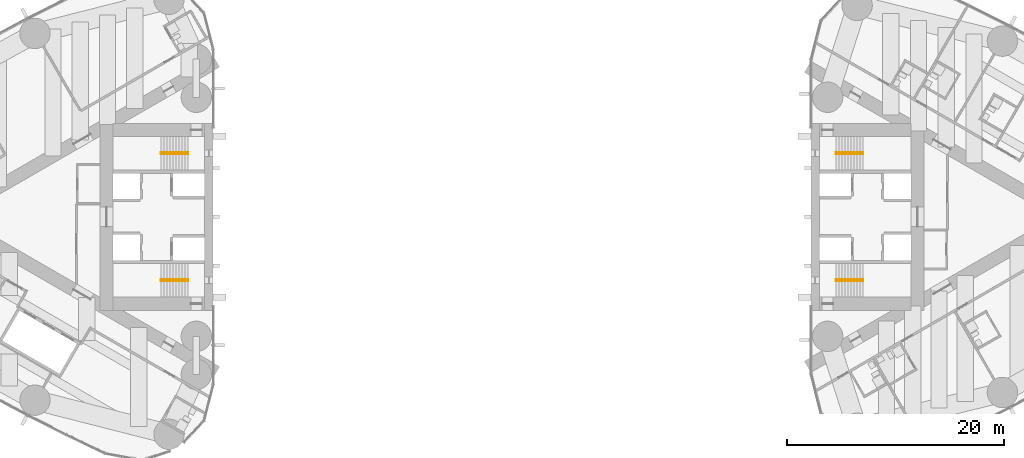
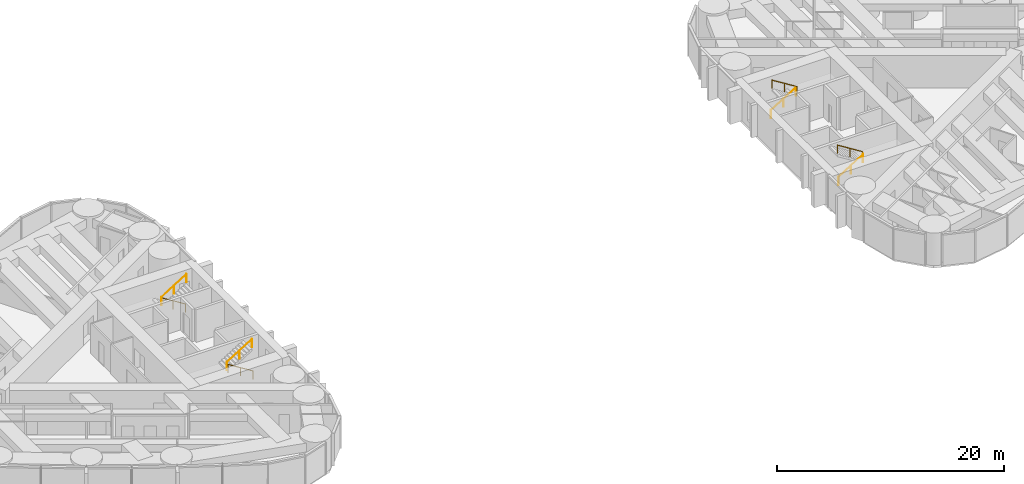
# One storey, part 18 of 19: 8 railings.
"""IFC4 building model written with IfcOpenShell, lengths in metres."""

from ifc_helpers import new_model, si_unit, direction, frame, origin, origin_2d, place, context, subcontext, project, spatial, circle, extrude, material, type_object, element, save


model = new_model("IFC4")

# Units and contexts
model_context = context("Model", 3, precision=1e-05, world=origin(), true_north=direction((0.0, 1.0)))
body_context = subcontext(model_context, "Body", "Model", "MODEL_VIEW")
ifc_project = project(units=[si_unit("LENGTHUNIT", "METRE"), si_unit("AREAUNIT", "SQUARE_METRE"), si_unit("VOLUMEUNIT", "CUBIC_METRE"), si_unit("PLANEANGLEUNIT", "RADIAN"), si_unit("MASSUNIT", "GRAM", prefix="KILO")], contexts=[model_context])

# Site, building, storey
site_placement = place(None, origin())
site = spatial("IfcSite", under=ifc_project, at=site_placement, CompositionType="ELEMENT")
building_placement = place(site_placement, origin())
building = spatial("IfcBuilding", under=site, at=building_placement, Name="Lancet Gate Hotel", CompositionType="ELEMENT")
storey_placement = place(building_placement, frame((0.0, 0.0, 184.300048828125)))
storey = spatial("IfcBuildingStorey", under=building, at=storey_placement, Name="L49", CompositionType="ELEMENT", Elevation=184.300048828125)

# Railings
ifc_material = material(Name="Stainless steel handrail", Category="steel")
railing_type = type_object("IfcRailingType", Name="Stair handrail 900", PredefinedType="HANDRAIL", material=ifc_material)
railing_1_placement = place(storey_placement, frame((-29.800048828125, 5.929931640625, 0.175048828125)))
element("IfcRailing", 1, at=railing_1_placement, inside=storey, type_object=railing_type, Name="ST1 handrail flight 1 L49", PredefinedType="HANDRAIL", context=body_context, shape_type="SweptSolid", body=[
    extrude(circle(Radius=0.02392578125, at=origin_2d()), frame((0.0, 0.0, 0.8759765625), z_axis=(-0.848007534815, 0.0, 0.529984170421), x_axis=(0.0, -1.0, 0.0)), (0.0, 0.0, 1.0), 2.9716796875),
    extrude(circle(Radius=0.02099609375, at=origin_2d()), origin(), (0.0, 0.0, 1.0), 0.851806640625),
    extrude(circle(Radius=0.02099609375, at=origin_2d()), frame((-1.260009765625, 0.0, 0.78759765625)), (0.0, 0.0, 1.0), 0.851806640625),
    extrude(circle(Radius=0.02099609375, at=origin_2d()), frame((-2.52001953125, 0.0, 1.574951171875)), (0.0, 0.0, 1.0), 0.851806640625),
])
railing_2_placement = place(storey_placement, frame((-32.320068359375, 5.77001953125, 1.925048828125)))
element("IfcRailing", 2, at=railing_2_placement, inside=storey, type_object=railing_type, Name="ST1 handrail flight 2 L49", PredefinedType="HANDRAIL", context=body_context, shape_type="SweptSolid", body=[
    extrude(circle(Radius=0.02392578125, at=origin_2d()), frame((0.0, 0.0, 0.8759765625), z_axis=(0.848007534815, 0.0, 0.529984170421), x_axis=(0.0, 1.0, 0.0)), (0.0, 0.0, 1.0), 2.9716796875),
    extrude(circle(Radius=0.02099609375, at=origin_2d()), origin(), (0.0, 0.0, 1.0), 0.851806640625),
    extrude(circle(Radius=0.02099609375, at=origin_2d()), frame((1.260009765625, 0.0, 0.78759765625)), (0.0, 0.0, 1.0), 0.851806640625),
    extrude(circle(Radius=0.02099609375, at=origin_2d()), frame((2.52001953125, 0.0, 1.574951171875)), (0.0, 0.0, 1.0), 0.851806640625),
])
railing_3_placement = place(storey_placement, frame((-29.800048828125, -5.929931640625, 0.175048828125)))
element("IfcRailing", 3, at=railing_3_placement, inside=storey, type_object=railing_type, Name="ST2 handrail flight 1 L49", PredefinedType="HANDRAIL", context=body_context, shape_type="SweptSolid", body=[
    extrude(circle(Radius=0.02392578125, at=origin_2d()), frame((0.0, 0.0, 0.8759765625), z_axis=(-0.848007534815, 0.0, 0.529984170421), x_axis=(0.0, -1.0, 0.0)), (0.0, 0.0, 1.0), 2.9716796875),
    extrude(circle(Radius=0.02099609375, at=origin_2d()), origin(), (0.0, 0.0, 1.0), 0.851806640625),
    extrude(circle(Radius=0.02099609375, at=origin_2d()), frame((-1.260009765625, 0.0, 0.78759765625)), (0.0, 0.0, 1.0), 0.851806640625),
    extrude(circle(Radius=0.02099609375, at=origin_2d()), frame((-2.52001953125, 0.0, 1.574951171875)), (0.0, 0.0, 1.0), 0.851806640625),
])
for number, where, name in (
    (4, (-32.320068359375, -5.77001953125, 1.925048828125), "ST2 handrail flight 2 L49"),
    (5, (29.800048828125, -5.929931640625, 0.175048828125), "ST3 handrail flight 1 L49"),
):
    element("IfcRailing", number, at=place(storey_placement, frame(where)), inside=storey, type_object=railing_type, Name=name, PredefinedType="HANDRAIL", context=body_context, shape_type="SweptSolid", body=[
        extrude(circle(Radius=0.02392578125, at=origin_2d()), frame((0.0, 0.0, 0.8759765625), z_axis=(0.848007534815, 0.0, 0.529984170421), x_axis=(0.0, 1.0, 0.0)), (0.0, 0.0, 1.0), 2.9716796875),
        extrude(circle(Radius=0.02099609375, at=origin_2d()), origin(), (0.0, 0.0, 1.0), 0.851806640625),
        extrude(circle(Radius=0.02099609375, at=origin_2d()), frame((1.260009765625, 0.0, 0.78759765625)), (0.0, 0.0, 1.0), 0.851806640625),
        extrude(circle(Radius=0.02099609375, at=origin_2d()), frame((2.52001953125, 0.0, 1.574951171875)), (0.0, 0.0, 1.0), 0.851806640625),
    ])
railing_4_placement = place(storey_placement, frame((32.320068359375, -5.77001953125, 1.925048828125)))
element("IfcRailing", 6, at=railing_4_placement, inside=storey, type_object=railing_type, Name="ST3 handrail flight 2 L49", PredefinedType="HANDRAIL", context=body_context, shape_type="SweptSolid", body=[
    extrude(circle(Radius=0.02392578125, at=origin_2d()), frame((0.0, 0.0, 0.8759765625), z_axis=(-0.848007534815, 0.0, 0.529984170421), x_axis=(0.0, -1.0, 0.0)), (0.0, 0.0, 1.0), 2.9716796875),
    extrude(circle(Radius=0.02099609375, at=origin_2d()), origin(), (0.0, 0.0, 1.0), 0.851806640625),
    extrude(circle(Radius=0.02099609375, at=origin_2d()), frame((-1.260009765625, 0.0, 0.78759765625)), (0.0, 0.0, 1.0), 0.851806640625),
    extrude(circle(Radius=0.02099609375, at=origin_2d()), frame((-2.52001953125, 0.0, 1.574951171875)), (0.0, 0.0, 1.0), 0.851806640625),
])
railing_5_placement = place(storey_placement, frame((29.800048828125, 5.929931640625, 0.175048828125)))
element("IfcRailing", 7, at=railing_5_placement, inside=storey, type_object=railing_type, Name="ST4 handrail flight 1 L49", PredefinedType="HANDRAIL", context=body_context, shape_type="SweptSolid", body=[
    extrude(circle(Radius=0.02392578125, at=origin_2d()), frame((0.0, 0.0, 0.8759765625), z_axis=(0.848007534815, 0.0, 0.529984170421), x_axis=(0.0, 1.0, 0.0)), (0.0, 0.0, 1.0), 2.9716796875),
    extrude(circle(Radius=0.02099609375, at=origin_2d()), origin(), (0.0, 0.0, 1.0), 0.851806640625),
    extrude(circle(Radius=0.02099609375, at=origin_2d()), frame((1.260009765625, 0.0, 0.78759765625)), (0.0, 0.0, 1.0), 0.851806640625),
    extrude(circle(Radius=0.02099609375, at=origin_2d()), frame((2.52001953125, 0.0, 1.574951171875)), (0.0, 0.0, 1.0), 0.851806640625),
])
railing_6_placement = place(storey_placement, frame((32.320068359375, 5.77001953125, 1.925048828125)))
element("IfcRailing", 8, at=railing_6_placement, inside=storey, type_object=railing_type, Name="ST4 handrail flight 2 L49", PredefinedType="HANDRAIL", context=body_context, shape_type="SweptSolid", body=[
    extrude(circle(Radius=0.02392578125, at=origin_2d()), frame((0.0, 0.0, 0.8759765625), z_axis=(-0.848007534815, 0.0, 0.529984170421), x_axis=(0.0, -1.0, 0.0)), (0.0, 0.0, 1.0), 2.9716796875),
    extrude(circle(Radius=0.02099609375, at=origin_2d()), origin(), (0.0, 0.0, 1.0), 0.851806640625),
    extrude(circle(Radius=0.02099609375, at=origin_2d()), frame((-1.260009765625, 0.0, 0.78759765625)), (0.0, 0.0, 1.0), 0.851806640625),
    extrude(circle(Radius=0.02099609375, at=origin_2d()), frame((-2.52001953125, 0.0, 1.574951171875)), (0.0, 0.0, 1.0), 0.851806640625),
])

save(model, "model.ifc")
